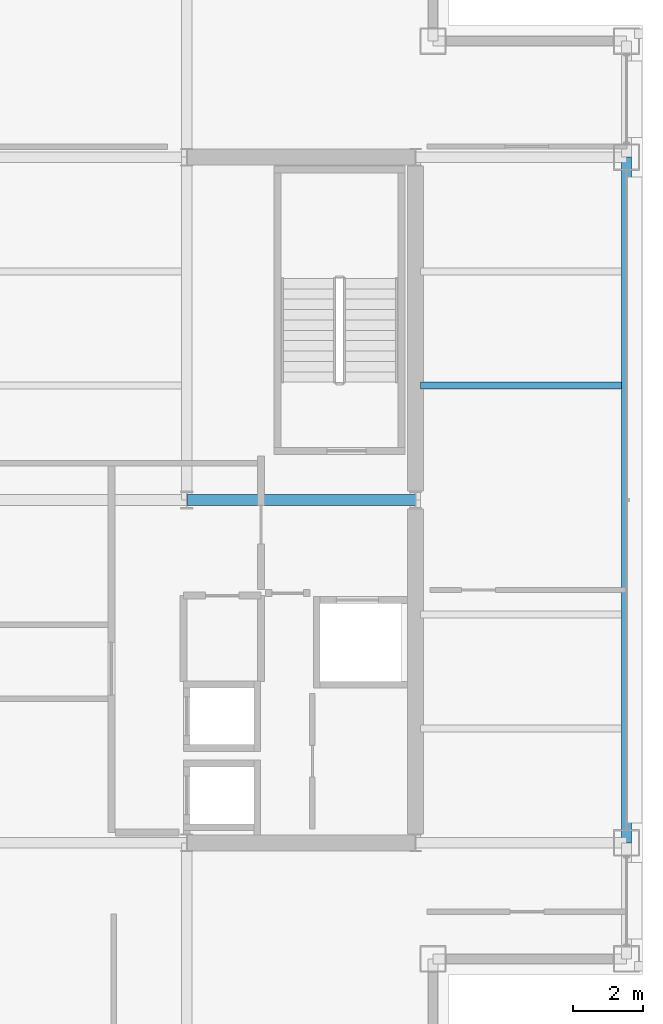
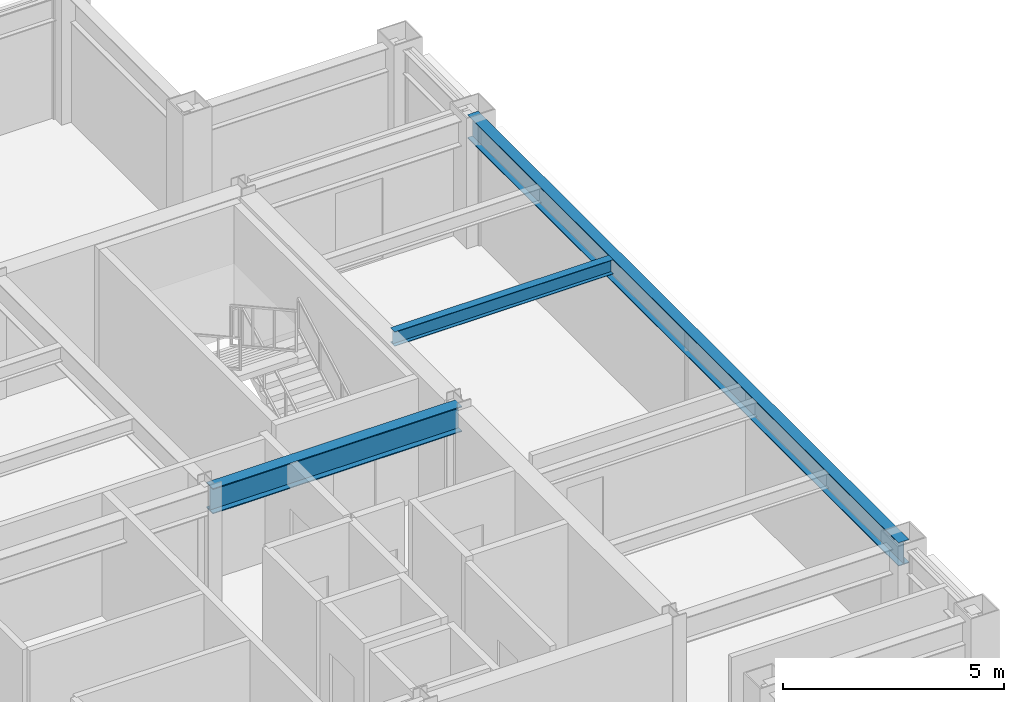
# One storey, part 14 of 27: 3 beams.
"""IFC4 building model written with IfcOpenShell, lengths in metres."""

from ifc_helpers import new_model, si_unit, direction, frame, origin, origin_2d, place, context, subcontext, project, spatial, i_section, extrude, material, material_profile, profile_set, type_object, element, save


model = new_model("IFC4")

# Units and contexts
model_context = context("Model", 3, precision=1e-05, world=origin(), true_north=direction((0.0, 1.0)))
body_context = subcontext(model_context, "Body", "Model", "MODEL_VIEW")
ifc_project = project(units=[si_unit("LENGTHUNIT", "METRE"), si_unit("AREAUNIT", "SQUARE_METRE"), si_unit("VOLUMEUNIT", "CUBIC_METRE"), si_unit("PLANEANGLEUNIT", "RADIAN"), si_unit("MASSUNIT", "GRAM", prefix="KILO")], contexts=[model_context])

# Site, building, storey
site_placement = place(None, origin())
site = spatial("IfcSite", under=ifc_project, at=site_placement, CompositionType="ELEMENT")
building_placement = place(site_placement, origin())
building = spatial("IfcBuilding", under=site, at=building_placement, Name="Brelmoor Portico Tower", CompositionType="ELEMENT")
storey_placement = place(building_placement, frame((0.0, 0.0, 158.699951171875)))
storey = spatial("IfcBuildingStorey", under=building, at=storey_placement, Name="L41", CompositionType="ELEMENT", Elevation=158.699951171875)

# Beams
ifc_material = material(Name="Steel Q355B", Category="steel")
ifc_material_profile_1 = material_profile(ifc_material, i_section(OverallWidth=0.199951171875, OverallDepth=0.39990234375, WebThickness=0.008056640625, FlangeThickness=0.012939453125, at=origin_2d()), Name="HN 400x200x8x13")
ifc_profile_set_1 = profile_set([ifc_material_profile_1], Name="Steel Q355B")
beam_type_1 = type_object("IfcBeamType", Name="BM-JS-400", PredefinedType="JOIST", material=ifc_profile_set_1)
beam_1_placement = place(storey_placement, frame((14.699951171875, 3.25, 3.199951171875), z_axis=(1.0, 0.0, 0.0), x_axis=(0.0, 1.0, 0.0)))
element("IfcBeam", 1, at=beam_1_placement, inside=storey, type_object=beam_type_1, Name="L41 Secondary Wing Joist JS-E11", PredefinedType="JOIST", context=body_context, shape_type="SweptSolid", body=[
    extrude(i_section(OverallWidth=0.199951171875, OverallDepth=0.39990234375, WebThickness=0.008056640625, FlangeThickness=0.012939453125, at=origin_2d()), origin(), (0.0, 0.0, 1.0), 5.7099609375),
])
ifc_material_profile_2 = material_profile(ifc_material, i_section(OverallWidth=0.300048828125, OverallDepth=0.699951171875, WebThickness=0.012939453125, FlangeThickness=0.02392578125, at=origin_2d()), Name="HN 700x300x13x24")
ifc_profile_set_2 = profile_set([ifc_material_profile_2], Name="Steel Q355B")
beam_type_2 = type_object("IfcBeamType", Name="BM-PG-700", PredefinedType="BEAM", material=ifc_profile_set_2)
beam_2_placement = place(storey_placement, frame((8.050048828125, 0.0, 3.050048828125), z_axis=(1.0, 0.0, 0.0), x_axis=(0.0, 1.0, 0.0)))
element("IfcBeam", 2, at=beam_2_placement, inside=storey, type_object=beam_type_2, Name="L41 Primary Floor Girder PG-18", PredefinedType="BEAM", context=body_context, shape_type="SweptSolid", body=[
    extrude(i_section(OverallWidth=0.300048828125, OverallDepth=0.699951171875, WebThickness=0.012939453125, FlangeThickness=0.02392578125, at=origin_2d()), origin(), (0.0, 0.0, 1.0), 6.5),
])
ifc_material_profile_3 = material_profile(ifc_material, i_section(OverallWidth=0.280029296875, OverallDepth=0.64990234375, WebThickness=0.012939453125, FlangeThickness=0.02197265625, at=origin_2d()), Name="HN 650x280x13x22")
ifc_profile_set_3 = profile_set([ifc_material_profile_3], Name="Steel Q355B")
beam_type_3 = type_object("IfcBeamType", Name="BM-SP-650", PredefinedType="SPANDREL", material=ifc_profile_set_3)
beam_3_placement = place(storey_placement, frame((20.550048828125, -9.75, 3.074951171875), z_axis=(0.0, 1.0, 0.0), x_axis=(-1.0, 0.0, 0.0)))
element("IfcBeam", 3, at=beam_3_placement, inside=storey, type_object=beam_type_3, Name="L41 Perimeter Spandrel Beam SP-19", PredefinedType="SPANDREL", context=body_context, shape_type="SweptSolid", body=[
    extrude(i_section(OverallWidth=0.280029296875, OverallDepth=0.64990234375, WebThickness=0.012939453125, FlangeThickness=0.02197265625, at=origin_2d()), origin(), (0.0, 0.0, 1.0), 19.5),
])

save(model, "model.ifc")
